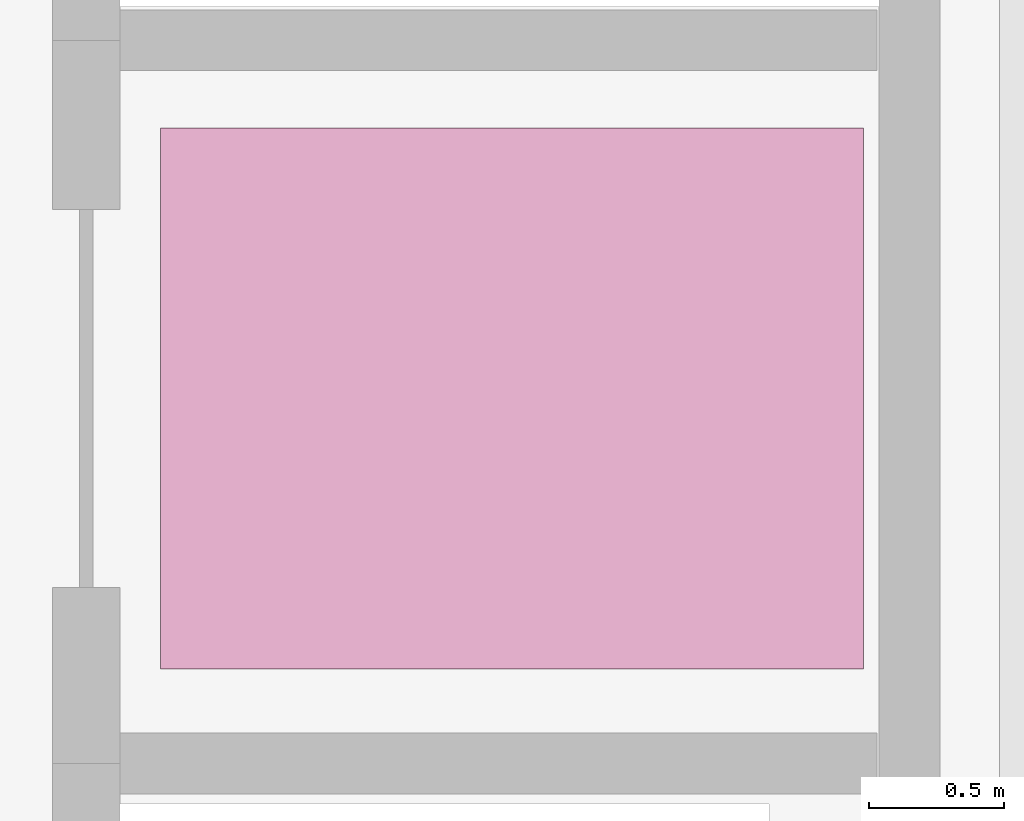
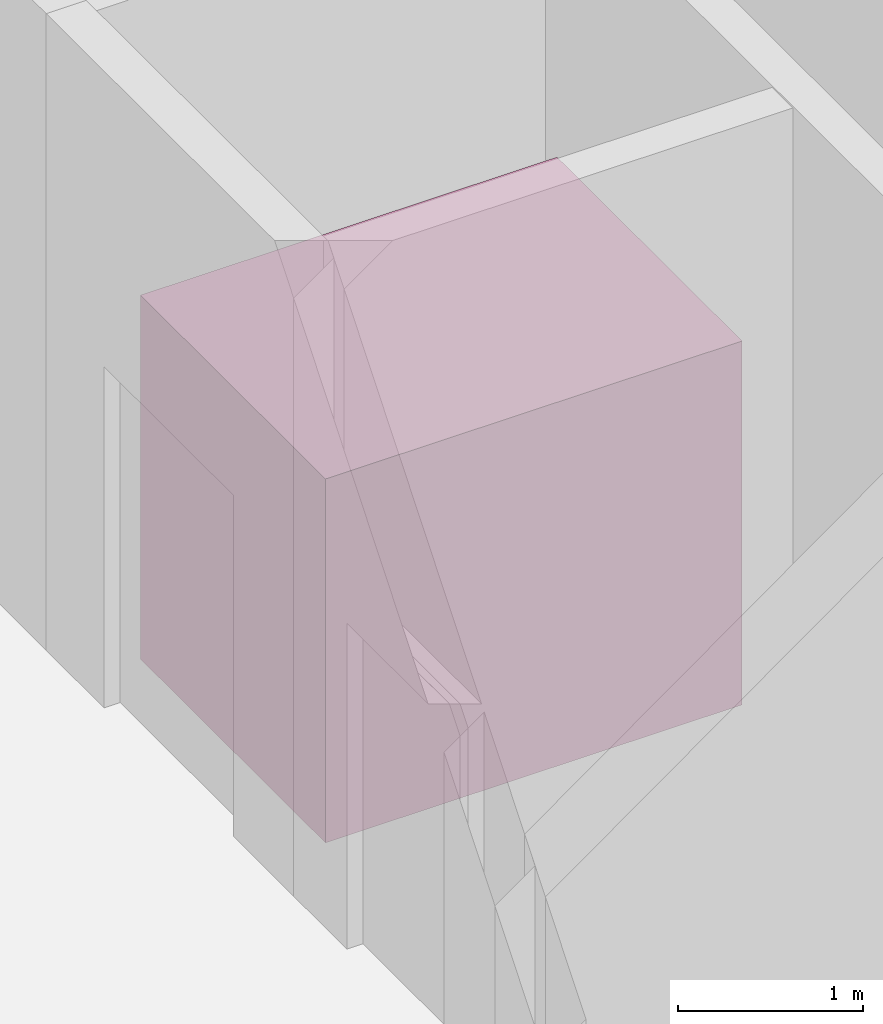
# One storey, part 15 of 15: 1 transport element.
"""IFC4 building model written with IfcOpenShell, lengths in metres."""

from ifc_helpers import new_model, si_unit, direction, frame, origin, origin_2d, place, context, subcontext, project, spatial, rectangle, extrude, material, type_object, element, save


model = new_model("IFC4")

# Units and contexts
model_context = context("Model", 3, precision=1e-05, world=origin(), true_north=direction((0.0, 1.0)))
body_context = subcontext(model_context, "Body", "Model", "MODEL_VIEW")
ifc_project = project(units=[si_unit("LENGTHUNIT", "METRE"), si_unit("AREAUNIT", "SQUARE_METRE"), si_unit("VOLUMEUNIT", "CUBIC_METRE"), si_unit("PLANEANGLEUNIT", "RADIAN"), si_unit("MASSUNIT", "GRAM", prefix="KILO")], contexts=[model_context])

# Site, building, storey
site_placement = place(None, origin())
site = spatial("IfcSite", under=ifc_project, at=site_placement, CompositionType="ELEMENT")
building_placement = place(site_placement, origin())
building = spatial("IfcBuilding", under=site, at=building_placement, Name="Quillay Park Conservatory", CompositionType="ELEMENT")
storey_placement = place(building_placement, frame((0.0, 0.0, -4.199951171875)))
storey = spatial("IfcBuildingStorey", under=building, at=storey_placement, Name="B1", CompositionType="ELEMENT", Elevation=-4.199951171875)

# Transport element
ifc_material = material(Name="Steel ASTM A572 Grade 50", Category="steel")
transport_element_type = type_object("IfcTransportElementType", Name="HERBARIUM GOODS LIFT 2500 KG", PredefinedType="ELEVATOR", material=ifc_material)
transport_element_placement = place(storey_placement, frame((17.85009765625, 95.25, 0.0), z_axis=(0.0, 0.0, 1.0), x_axis=(1.0, 0.0, 0.0)))
element("IfcTransportElement", 1, at=transport_element_placement, inside=storey, type_object=transport_element_type, Name="Herbarium Specimen Goods Lift LF-G1", PredefinedType="ELEVATOR", context=body_context, shape_type="SweptSolid", body=[
    extrude(rectangle(XDim=2.60009765625, YDim=2.0, at=origin_2d()), origin(), (0.0, 0.0, 1.0), 2.39990234375),
])

save(model, "model.ifc")
